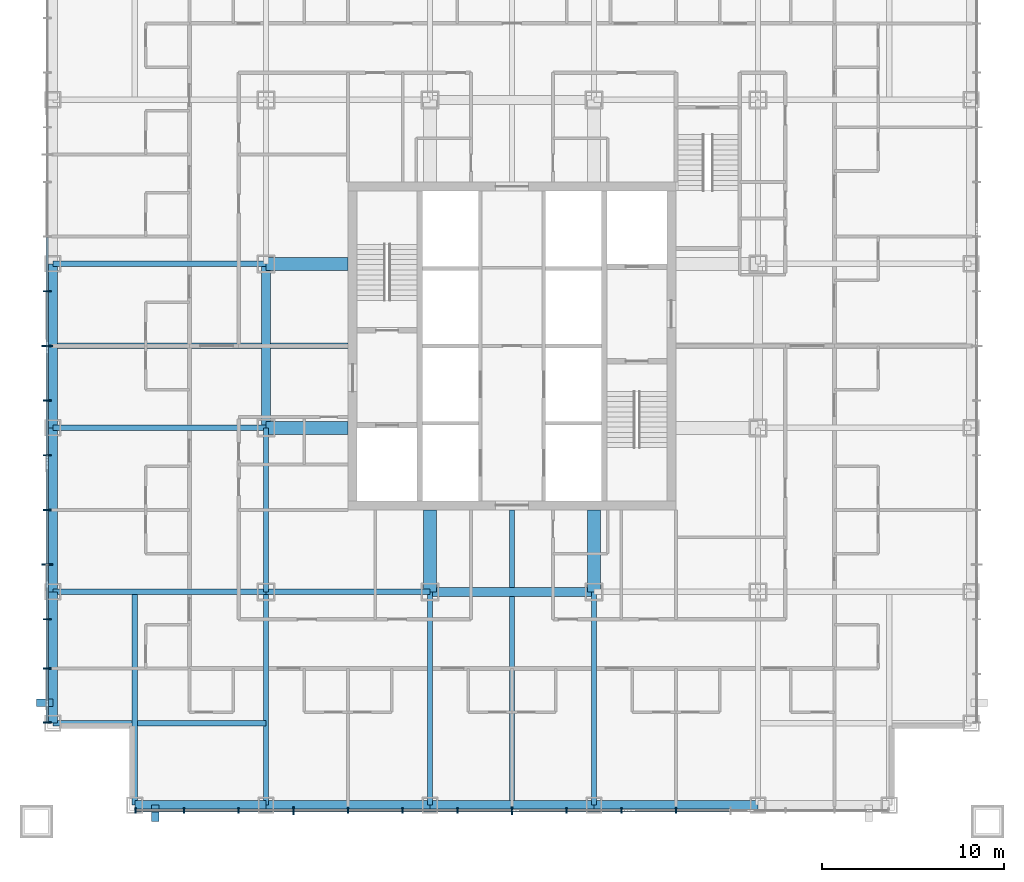
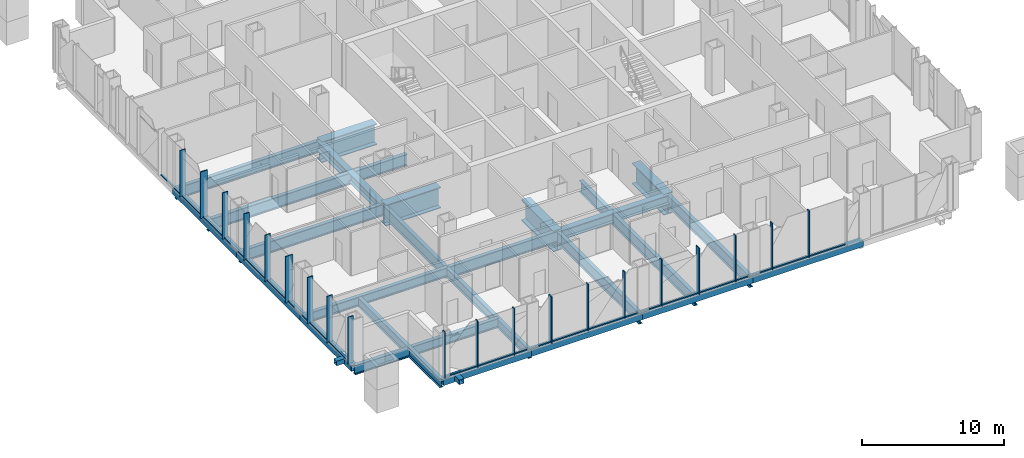
# One storey, part 2 of 23: 42 members, 25 beams, 2 elements without a shape of their own.
"""IFC4 building model written with IfcOpenShell, lengths in metres."""

from ifc_helpers import new_model, si_unit, direction, frame, origin, origin_2d, place, context, subcontext, project, spatial, rectangle, hollow_rectangle, i_section, extrude, material, layer, layer_set, material_profile, profile_set, type_object, element, aggregate, save


model = new_model("IFC4")

# Units and contexts
model_context = context("Model", 3, precision=1e-05, world=origin(), true_north=direction((0.0, 1.0)))
body_context = subcontext(model_context, "Body", "Model", "MODEL_VIEW")
ifc_project = project(units=[si_unit("LENGTHUNIT", "METRE"), si_unit("AREAUNIT", "SQUARE_METRE"), si_unit("VOLUMEUNIT", "CUBIC_METRE"), si_unit("PLANEANGLEUNIT", "RADIAN"), si_unit("MASSUNIT", "GRAM", prefix="KILO")], contexts=[model_context])

# Site, building, storey
site_placement = place(None, origin())
site = spatial("IfcSite", under=ifc_project, at=site_placement, CompositionType="ELEMENT")
building_placement = place(site_placement, origin())
building = spatial("IfcBuilding", under=site, at=building_placement, Name="Malebo Sky Hospital", CompositionType="ELEMENT")
storey_placement = place(building_placement, frame((0.0, 0.0, 91.0)))
storey = spatial("IfcBuildingStorey", under=building, at=storey_placement, Name="L21", CompositionType="ELEMENT", Elevation=91.0)

# Curtain wall, members
ifc_material_1 = material(Name="Anodised aluminium, natural silver", Category="aluminium")
ifc_layer_1 = layer(ifc_material_1, 0.25)
ifc_layer_set_1 = layer_set([ifc_layer_1], Name="WARD CURTAIN WALL EAST AND WEST")
curtain_wall_type_1 = type_object("IfcCurtainWallType", Name="WARD CURTAIN WALL EAST AND WEST", PredefinedType="NOTDEFINED", material=ifc_layer_set_1)
curtain_wall_1_placement = place(storey_placement, origin())
curtain_wall_1 = element("IfcCurtainWall", 1, at=curtain_wall_1_placement, inside=storey, type_object=curtain_wall_type_1, Name="EW curtain wall W", PredefinedType="NOTDEFINED")
ifc_material_profile_1 = material_profile(ifc_material_1, rectangle(XDim=0.14990234375, YDim=0.10009765625, at=origin_2d()), Name="ALUMINIUM TRANSOM 150x100")
ifc_profile_set_1 = profile_set([ifc_material_profile_1], Name="Anodised aluminium, natural silver")
member_type_1 = type_object("IfcMemberType", Name="ALUMINIUM TRANSOM 150x100", PredefinedType="USERDEFINED", material=ifc_profile_set_1)
member_1_placement = place(storey_placement, frame((34.5, 41.375, 0.050048828125), z_axis=(0.0, 1.0, 0.0), x_axis=(-1.0, 0.0, 0.0)))
member_1 = element("IfcMember", 2, at=member_1_placement, type_object=member_type_1, Name="Transom 1", ObjectType="TRANSOM", PredefinedType="USERDEFINED", context=body_context, shape_type="SweptSolid", body=[
    extrude(rectangle(XDim=0.14990234375, YDim=0.10009765625, at=origin_2d()), origin(), (0.0, 0.0, 1.0), 2.887451171875),
])
member_2_placement = place(storey_placement, frame((34.5, 44.33740234375, 0.050048828125), z_axis=(0.0, 1.0, 0.0), x_axis=(-1.0, 0.0, 0.0)))
member_2 = element("IfcMember", 3, at=member_2_placement, type_object=member_type_1, Name="Transom 2", ObjectType="TRANSOM", PredefinedType="USERDEFINED", context=body_context, shape_type="SweptSolid", body=[
    extrude(rectangle(XDim=0.14990234375, YDim=0.10009765625, at=origin_2d()), origin(), (0.0, 0.0, 1.0), 2.625),
])
member_3_placement = place(storey_placement, frame((34.5, 47.03759765625, 0.050048828125), z_axis=(0.0, 1.0, 0.0), x_axis=(-1.0, 0.0, 0.0)))
member_3 = element("IfcMember", 4, at=member_3_placement, type_object=member_type_1, Name="Transom 3", ObjectType="TRANSOM", PredefinedType="USERDEFINED", context=body_context, shape_type="SweptSolid", body=[
    extrude(rectangle(XDim=0.14990234375, YDim=0.10009765625, at=origin_2d()), origin(), (0.0, 0.0, 1.0), 2.9248046875),
])
member_4_placement = place(storey_placement, frame((34.5, 50.03759765625, 0.050048828125), z_axis=(0.0, 1.0, 0.0), x_axis=(-1.0, 0.0, 0.0)))
member_4 = element("IfcMember", 5, at=member_4_placement, type_object=member_type_1, Name="Transom 4", ObjectType="TRANSOM", PredefinedType="USERDEFINED", context=body_context, shape_type="SweptSolid", body=[
    extrude(rectangle(XDim=0.14990234375, YDim=0.10009765625, at=origin_2d()), origin(), (0.0, 0.0, 1.0), 2.9248046875),
])
member_5_placement = place(storey_placement, frame((34.5, 53.03759765625, 0.050048828125), z_axis=(0.0, 1.0, 0.0), x_axis=(-1.0, 0.0, 0.0)))
member_5 = element("IfcMember", 6, at=member_5_placement, type_object=member_type_1, Name="Transom 5", ObjectType="TRANSOM", PredefinedType="USERDEFINED", context=body_context, shape_type="SweptSolid", body=[
    extrude(rectangle(XDim=0.14990234375, YDim=0.10009765625, at=origin_2d()), origin(), (0.0, 0.0, 1.0), 2.9248046875),
])
member_6_placement = place(storey_placement, frame((34.5, 56.03759765625, 0.050048828125), z_axis=(0.0, 1.0, 0.0), x_axis=(-1.0, 0.0, 0.0)))
member_6 = element("IfcMember", 7, at=member_6_placement, type_object=member_type_1, Name="Transom 6", ObjectType="TRANSOM", PredefinedType="USERDEFINED", context=body_context, shape_type="SweptSolid", body=[
    extrude(rectangle(XDim=0.14990234375, YDim=0.10009765625, at=origin_2d()), origin(), (0.0, 0.0, 1.0), 2.9248046875),
])
member_7_placement = place(storey_placement, frame((34.5, 59.03759765625, 0.050048828125), z_axis=(0.0, 1.0, 0.0), x_axis=(-1.0, 0.0, 0.0)))
member_7 = element("IfcMember", 8, at=member_7_placement, type_object=member_type_1, Name="Transom 7", ObjectType="TRANSOM", PredefinedType="USERDEFINED", context=body_context, shape_type="SweptSolid", body=[
    extrude(rectangle(XDim=0.14990234375, YDim=0.10009765625, at=origin_2d()), origin(), (0.0, 0.0, 1.0), 2.9248046875),
])
member_8_placement = place(storey_placement, frame((34.5, 62.03759765625, 0.050048828125), z_axis=(0.0, 1.0, 0.0), x_axis=(-1.0, 0.0, 0.0)))
member_8 = element("IfcMember", 9, at=member_8_placement, type_object=member_type_1, Name="Transom 8", ObjectType="TRANSOM", PredefinedType="USERDEFINED", context=body_context, shape_type="SweptSolid", body=[
    extrude(rectangle(XDim=0.14990234375, YDim=0.10009765625, at=origin_2d()), origin(), (0.0, 0.0, 1.0), 2.9248046875),
])
member_9_placement = place(storey_placement, frame((34.5, 65.03759765625, 0.050048828125), z_axis=(0.0, 1.0, 0.0), x_axis=(-1.0, 0.0, 0.0)))
member_9 = element("IfcMember", 10, at=member_9_placement, type_object=member_type_1, Name="Transom 9", ObjectType="TRANSOM", PredefinedType="USERDEFINED", context=body_context, shape_type="SweptSolid", body=[
    extrude(rectangle(XDim=0.14990234375, YDim=0.10009765625, at=origin_2d()), origin(), (0.0, 0.0, 1.0), 2.9248046875),
])

ifc_layer_2 = layer(ifc_material_1, 0.25)
ifc_layer_set_2 = layer_set([ifc_layer_2], Name="WARD CURTAIN WALL NORTH AND SOUTH")
curtain_wall_type_2 = type_object("IfcCurtainWallType", Name="WARD CURTAIN WALL NORTH AND SOUTH", PredefinedType="NOTDEFINED", material=ifc_layer_set_2)
curtain_wall_2_placement = place(storey_placement, origin())
curtain_wall_2 = element("IfcCurtainWall", 11, at=curtain_wall_2_placement, inside=storey, type_object=curtain_wall_type_2, Name="NS curtain wall S", PredefinedType="NOTDEFINED")
member_10_placement = place(storey_placement, frame((71.96240234375, 36.5, 0.050048828125), z_axis=(-1.0, 0.0, 0.0), x_axis=(0.0, -1.0, 0.0)))
member_10 = element("IfcMember", 12, at=member_10_placement, type_object=member_type_1, Name="Transom 4", ObjectType="TRANSOM", PredefinedType="USERDEFINED", context=body_context, shape_type="SweptSolid", body=[
    extrude(rectangle(XDim=0.14990234375, YDim=0.10009765625, at=origin_2d()), origin(), (0.0, 0.0, 1.0), 2.9248046875),
])
member_11_placement = place(storey_placement, frame((68.96240234375, 36.5, 0.050048828125), z_axis=(-1.0, 0.0, 0.0), x_axis=(0.0, -1.0, 0.0)))
member_11 = element("IfcMember", 13, at=member_11_placement, type_object=member_type_1, Name="Transom 5", ObjectType="TRANSOM", PredefinedType="USERDEFINED", context=body_context, shape_type="SweptSolid", body=[
    extrude(rectangle(XDim=0.14990234375, YDim=0.10009765625, at=origin_2d()), origin(), (0.0, 0.0, 1.0), 2.9248046875),
])
member_12_placement = place(storey_placement, frame((65.96240234375, 36.5, 0.050048828125), z_axis=(-1.0, 0.0, 0.0), x_axis=(0.0, -1.0, 0.0)))
member_12 = element("IfcMember", 14, at=member_12_placement, type_object=member_type_1, Name="Transom 6", ObjectType="TRANSOM", PredefinedType="USERDEFINED", context=body_context, shape_type="SweptSolid", body=[
    extrude(rectangle(XDim=0.14990234375, YDim=0.10009765625, at=origin_2d()), origin(), (0.0, 0.0, 1.0), 2.9248046875),
])
member_13_placement = place(storey_placement, frame((62.96240234375, 36.5, 0.050048828125), z_axis=(-1.0, 0.0, 0.0), x_axis=(0.0, -1.0, 0.0)))
member_13 = element("IfcMember", 15, at=member_13_placement, type_object=member_type_1, Name="Transom 7", ObjectType="TRANSOM", PredefinedType="USERDEFINED", context=body_context, shape_type="SweptSolid", body=[
    extrude(rectangle(XDim=0.14990234375, YDim=0.10009765625, at=origin_2d()), origin(), (0.0, 0.0, 1.0), 2.9248046875),
])
member_14_placement = place(storey_placement, frame((59.96240234375, 36.5, 0.050048828125), z_axis=(-1.0, 0.0, 0.0), x_axis=(0.0, -1.0, 0.0)))
member_14 = element("IfcMember", 16, at=member_14_placement, type_object=member_type_1, Name="Transom 8", ObjectType="TRANSOM", PredefinedType="USERDEFINED", context=body_context, shape_type="SweptSolid", body=[
    extrude(rectangle(XDim=0.14990234375, YDim=0.10009765625, at=origin_2d()), origin(), (0.0, 0.0, 1.0), 2.9248046875),
])
member_15_placement = place(storey_placement, frame((56.96240234375, 36.5, 0.050048828125), z_axis=(-1.0, 0.0, 0.0), x_axis=(0.0, -1.0, 0.0)))
member_15 = element("IfcMember", 17, at=member_15_placement, type_object=member_type_1, Name="Transom 9", ObjectType="TRANSOM", PredefinedType="USERDEFINED", context=body_context, shape_type="SweptSolid", body=[
    extrude(rectangle(XDim=0.14990234375, YDim=0.10009765625, at=origin_2d()), origin(), (0.0, 0.0, 1.0), 2.9248046875),
])
member_16_placement = place(storey_placement, frame((53.96240234375, 36.5, 0.050048828125), z_axis=(-1.0, 0.0, 0.0), x_axis=(0.0, -1.0, 0.0)))
member_16 = element("IfcMember", 18, at=member_16_placement, type_object=member_type_1, Name="Transom 10", ObjectType="TRANSOM", PredefinedType="USERDEFINED", context=body_context, shape_type="SweptSolid", body=[
    extrude(rectangle(XDim=0.14990234375, YDim=0.10009765625, at=origin_2d()), origin(), (0.0, 0.0, 1.0), 2.9248046875),
])
member_17_placement = place(storey_placement, frame((50.96240234375, 36.5, 0.050048828125), z_axis=(-1.0, 0.0, 0.0), x_axis=(0.0, -1.0, 0.0)))
member_17 = element("IfcMember", 19, at=member_17_placement, type_object=member_type_1, Name="Transom 11", ObjectType="TRANSOM", PredefinedType="USERDEFINED", context=body_context, shape_type="SweptSolid", body=[
    extrude(rectangle(XDim=0.14990234375, YDim=0.10009765625, at=origin_2d()), origin(), (0.0, 0.0, 1.0), 2.9248046875),
])
member_18_placement = place(storey_placement, frame((47.96240234375, 36.5, 0.050048828125), z_axis=(-1.0, 0.0, 0.0), x_axis=(0.0, -1.0, 0.0)))
member_18 = element("IfcMember", 20, at=member_18_placement, type_object=member_type_1, Name="Transom 12", ObjectType="TRANSOM", PredefinedType="USERDEFINED", context=body_context, shape_type="SweptSolid", body=[
    extrude(rectangle(XDim=0.14990234375, YDim=0.10009765625, at=origin_2d()), origin(), (0.0, 0.0, 1.0), 2.9248046875),
])
member_19_placement = place(storey_placement, frame((44.96240234375, 36.5, 0.050048828125), z_axis=(-1.0, 0.0, 0.0), x_axis=(0.0, -1.0, 0.0)))
member_19 = element("IfcMember", 21, at=member_19_placement, type_object=member_type_1, Name="Transom 13", ObjectType="TRANSOM", PredefinedType="USERDEFINED", context=body_context, shape_type="SweptSolid", body=[
    extrude(rectangle(XDim=0.14990234375, YDim=0.10009765625, at=origin_2d()), origin(), (0.0, 0.0, 1.0), 2.9248046875),
])
member_20_placement = place(storey_placement, frame((41.96240234375, 36.5, 0.050048828125), z_axis=(-1.0, 0.0, 0.0), x_axis=(0.0, -1.0, 0.0)))
member_20 = element("IfcMember", 22, at=member_20_placement, type_object=member_type_1, Name="Transom 14", ObjectType="TRANSOM", PredefinedType="USERDEFINED", context=body_context, shape_type="SweptSolid", body=[
    extrude(rectangle(XDim=0.14990234375, YDim=0.10009765625, at=origin_2d()), origin(), (0.0, 0.0, 1.0), 2.58740234375),
])

# Members
ifc_material_2 = material(Name="Steel S355", Category="steel")
ifc_material_profile_2 = material_profile(ifc_material_2, hollow_rectangle(XDim=0.39990234375, YDim=0.39990234375, WallThickness=0.02001953125, at=origin_2d()), Name="SHS 400x20")
ifc_profile_set_2 = profile_set([ifc_material_profile_2], Name="Steel S355")
member_type_2 = type_object("IfcMemberType", Name="BRACE STRUT SHS 400x20", PredefinedType="STRUT", material=ifc_profile_set_2)
for number, where, z_axis, x_axis, name in (
    (23, (40.425048828125, 35.89990234375, -0.39990234375), (0.0, 1.0, 0.0), (-1.0, 0.0, 0.0), "Brace strut AS2 L21"),
    (24, (33.89990234375, 42.425048828125, -0.39990234375), (1.0, 0.0, 0.0), (0.0, 1.0, 0.0), "Brace strut AW1 L21"),
):
    element("IfcMember", number, at=place(storey_placement, frame(where, z_axis=z_axis, x_axis=x_axis)), inside=storey, type_object=member_type_2, Name=name, PredefinedType="STRUT", context=body_context, shape_type="SweptSolid", body=[
        extrude(hollow_rectangle(XDim=0.39990234375, YDim=0.39990234375, WallThickness=0.02001953125, at=origin_2d()), origin(), (0.0, 0.0, 1.0), 0.900146484375),
    ])

# Member
ifc_material_profile_3 = material_profile(ifc_material_1, rectangle(XDim=0.074951171875, YDim=0.300048828125, at=origin_2d()), Name="CW1 ALUMINIUM FIN MULLION 75x300")
ifc_profile_set_3 = profile_set([ifc_material_profile_3], Name="Anodised aluminium, natural silver")
member_type_3 = type_object("IfcMemberType", Name="CW1 ALUMINIUM FIN MULLION 75x300", PredefinedType="MULLION", material=ifc_profile_set_3)
member_21_placement = place(storey_placement, frame((69.0, 36.5, 0.0), z_axis=(0.0, 0.0, 1.0), x_axis=(-1.0, 0.0, 0.0)))
member_21 = element("IfcMember", 25, at=member_21_placement, type_object=member_type_3, Name="Fin mullion 5", PredefinedType="MULLION", context=body_context, shape_type="SweptSolid", body=[
    extrude(rectangle(XDim=0.074951171875, YDim=0.300048828125, at=origin_2d()), origin(), (0.0, 0.0, 1.0), 4.0),
])

member_22_placement = place(storey_placement, frame((66.0, 36.5, 0.0), z_axis=(0.0, 0.0, 1.0), x_axis=(-1.0, 0.0, 0.0)))
member_22 = element("IfcMember", 26, at=member_22_placement, type_object=member_type_3, Name="Fin mullion 6", PredefinedType="MULLION", context=body_context, shape_type="SweptSolid", body=[
    extrude(rectangle(XDim=0.074951171875, YDim=0.300048828125, at=origin_2d()), origin(), (0.0, 0.0, 1.0), 4.0),
])

member_23_placement = place(storey_placement, frame((63.0, 36.5, 0.0), z_axis=(0.0, 0.0, 1.0), x_axis=(-1.0, 0.0, 0.0)))
member_23 = element("IfcMember", 27, at=member_23_placement, type_object=member_type_3, Name="Fin mullion 7", PredefinedType="MULLION", context=body_context, shape_type="SweptSolid", body=[
    extrude(rectangle(XDim=0.074951171875, YDim=0.300048828125, at=origin_2d()), origin(), (0.0, 0.0, 1.0), 4.0),
])

member_24_placement = place(storey_placement, frame((57.0, 36.5, 0.0), z_axis=(0.0, 0.0, 1.0), x_axis=(-1.0, 0.0, 0.0)))
member_24 = element("IfcMember", 28, at=member_24_placement, type_object=member_type_3, Name="Fin mullion 9", PredefinedType="MULLION", context=body_context, shape_type="SweptSolid", body=[
    extrude(rectangle(XDim=0.074951171875, YDim=0.300048828125, at=origin_2d()), origin(), (0.0, 0.0, 1.0), 4.0),
])

member_25_placement = place(storey_placement, frame((54.0, 36.5, 0.0), z_axis=(0.0, 0.0, 1.0), x_axis=(-1.0, 0.0, 0.0)))
member_25 = element("IfcMember", 29, at=member_25_placement, type_object=member_type_3, Name="Fin mullion 10", PredefinedType="MULLION", context=body_context, shape_type="SweptSolid", body=[
    extrude(rectangle(XDim=0.074951171875, YDim=0.300048828125, at=origin_2d()), origin(), (0.0, 0.0, 1.0), 4.0),
])

member_26_placement = place(storey_placement, frame((51.0, 36.5, 0.0), z_axis=(0.0, 0.0, 1.0), x_axis=(-1.0, 0.0, 0.0)))
member_26 = element("IfcMember", 30, at=member_26_placement, type_object=member_type_3, Name="Fin mullion 11", PredefinedType="MULLION", context=body_context, shape_type="SweptSolid", body=[
    extrude(rectangle(XDim=0.074951171875, YDim=0.300048828125, at=origin_2d()), origin(), (0.0, 0.0, 1.0), 4.0),
])

member_27_placement = place(storey_placement, frame((45.0, 36.5, 0.0), z_axis=(0.0, 0.0, 1.0), x_axis=(-1.0, 0.0, 0.0)))
member_27 = element("IfcMember", 31, at=member_27_placement, type_object=member_type_3, Name="Fin mullion 13", PredefinedType="MULLION", context=body_context, shape_type="SweptSolid", body=[
    extrude(rectangle(XDim=0.074951171875, YDim=0.300048828125, at=origin_2d()), origin(), (0.0, 0.0, 1.0), 4.0),
])

member_28_placement = place(storey_placement, frame((42.0, 36.5, 0.0), z_axis=(0.0, 0.0, 1.0), x_axis=(-1.0, 0.0, 0.0)))
member_28 = element("IfcMember", 32, at=member_28_placement, type_object=member_type_3, Name="Fin mullion 14", PredefinedType="MULLION", context=body_context, shape_type="SweptSolid", body=[
    extrude(rectangle(XDim=0.074951171875, YDim=0.300048828125, at=origin_2d()), origin(), (0.0, 0.0, 1.0), 4.0),
])

member_29_placement = place(storey_placement, frame((39.33740234375, 36.5, 0.0), z_axis=(0.0, 0.0, 1.0), x_axis=(-1.0, 0.0, 0.0)))
member_29 = element("IfcMember", 33, at=member_29_placement, type_object=member_type_3, Name="Fin mullion 15", PredefinedType="MULLION", context=body_context, shape_type="SweptSolid", body=[
    extrude(rectangle(XDim=0.074951171875, YDim=0.300048828125, at=origin_2d()), origin(), (0.0, 0.0, 1.0), 4.0),
])

ifc_material_profile_4 = material_profile(ifc_material_1, rectangle(XDim=0.074951171875, YDim=0.449951171875, at=origin_2d()), Name="CW1 ALUMINIUM FIN MULLION 75x450")
ifc_profile_set_4 = profile_set([ifc_material_profile_4], Name="Anodised aluminium, natural silver")
member_type_4 = type_object("IfcMemberType", Name="CW1 ALUMINIUM FIN MULLION 75x450", PredefinedType="MULLION", material=ifc_profile_set_4)
member_30_placement = place(storey_placement, frame((60.0, 36.5, 0.0), z_axis=(0.0, 0.0, 1.0), x_axis=(-1.0, 0.0, 0.0)))
member_30 = element("IfcMember", 34, at=member_30_placement, type_object=member_type_4, Name="Fin mullion 8", PredefinedType="MULLION", context=body_context, shape_type="SweptSolid", body=[
    extrude(rectangle(XDim=0.074951171875, YDim=0.449951171875, at=origin_2d()), origin(), (0.0, 0.0, 1.0), 4.0),
])

member_31_placement = place(storey_placement, frame((48.0, 36.5, 0.0), z_axis=(0.0, 0.0, 1.0), x_axis=(-1.0, 0.0, 0.0)))
member_31 = element("IfcMember", 35, at=member_31_placement, type_object=member_type_4, Name="Fin mullion 12", PredefinedType="MULLION", context=body_context, shape_type="SweptSolid", body=[
    extrude(rectangle(XDim=0.074951171875, YDim=0.449951171875, at=origin_2d()), origin(), (0.0, 0.0, 1.0), 4.0),
])

aggregate(curtain_wall_2, [member_21, member_22, member_23, member_30, member_24, member_25, member_26, member_31, member_27, member_28, member_29, member_10, member_11, member_12, member_13, member_14, member_15, member_16, member_17, member_18, member_19, member_20])

ifc_material_profile_5 = material_profile(ifc_material_1, rectangle(XDim=0.074951171875, YDim=0.449951171875, at=origin_2d()), Name="CW2 ALUMINIUM FIN MULLION 75x450")
ifc_profile_set_5 = profile_set([ifc_material_profile_5], Name="Anodised aluminium, natural silver")
member_type_5 = type_object("IfcMemberType", Name="CW2 ALUMINIUM FIN MULLION 75x450", PredefinedType="MULLION", material=ifc_profile_set_5)
member_32_placement = place(storey_placement, frame((34.5, 41.33740234375, 0.0), z_axis=(0.0, 0.0, 1.0), x_axis=(0.0, 1.0, 0.0)))
member_32 = element("IfcMember", 36, at=member_32_placement, type_object=member_type_5, Name="Fin mullion 1", PredefinedType="MULLION", context=body_context, shape_type="SweptSolid", body=[
    extrude(rectangle(XDim=0.074951171875, YDim=0.449951171875, at=origin_2d()), origin(), (0.0, 0.0, 1.0), 4.0),
])

member_33_placement = place(storey_placement, frame((34.5, 44.300048828125, 0.0), z_axis=(0.0, 0.0, 1.0), x_axis=(0.0, 1.0, 0.0)))
member_33 = element("IfcMember", 37, at=member_33_placement, type_object=member_type_5, Name="Fin mullion 2", PredefinedType="MULLION", context=body_context, shape_type="SweptSolid", body=[
    extrude(rectangle(XDim=0.074951171875, YDim=0.449951171875, at=origin_2d()), origin(), (0.0, 0.0, 1.0), 4.0),
])

member_34_placement = place(storey_placement, frame((34.5, 47.0, 0.0), z_axis=(0.0, 0.0, 1.0), x_axis=(0.0, 1.0, 0.0)))
member_34 = element("IfcMember", 38, at=member_34_placement, type_object=member_type_5, Name="Fin mullion 3", PredefinedType="MULLION", context=body_context, shape_type="SweptSolid", body=[
    extrude(rectangle(XDim=0.074951171875, YDim=0.449951171875, at=origin_2d()), origin(), (0.0, 0.0, 1.0), 4.0),
])

member_35_placement = place(storey_placement, frame((34.5, 53.0, 0.0), z_axis=(0.0, 0.0, 1.0), x_axis=(0.0, 1.0, 0.0)))
member_35 = element("IfcMember", 39, at=member_35_placement, type_object=member_type_5, Name="Fin mullion 5", PredefinedType="MULLION", context=body_context, shape_type="SweptSolid", body=[
    extrude(rectangle(XDim=0.074951171875, YDim=0.449951171875, at=origin_2d()), origin(), (0.0, 0.0, 1.0), 4.0),
])

member_36_placement = place(storey_placement, frame((34.5, 56.0, 0.0), z_axis=(0.0, 0.0, 1.0), x_axis=(0.0, 1.0, 0.0)))
member_36 = element("IfcMember", 40, at=member_36_placement, type_object=member_type_5, Name="Fin mullion 6", PredefinedType="MULLION", context=body_context, shape_type="SweptSolid", body=[
    extrude(rectangle(XDim=0.074951171875, YDim=0.449951171875, at=origin_2d()), origin(), (0.0, 0.0, 1.0), 4.0),
])

member_37_placement = place(storey_placement, frame((34.5, 59.0, 0.0), z_axis=(0.0, 0.0, 1.0), x_axis=(0.0, 1.0, 0.0)))
member_37 = element("IfcMember", 41, at=member_37_placement, type_object=member_type_5, Name="Fin mullion 7", PredefinedType="MULLION", context=body_context, shape_type="SweptSolid", body=[
    extrude(rectangle(XDim=0.074951171875, YDim=0.449951171875, at=origin_2d()), origin(), (0.0, 0.0, 1.0), 4.0),
])

member_38_placement = place(storey_placement, frame((34.5, 65.0, 0.0), z_axis=(0.0, 0.0, 1.0), x_axis=(0.0, 1.0, 0.0)))
member_38 = element("IfcMember", 42, at=member_38_placement, type_object=member_type_5, Name="Fin mullion 9", PredefinedType="MULLION", context=body_context, shape_type="SweptSolid", body=[
    extrude(rectangle(XDim=0.074951171875, YDim=0.449951171875, at=origin_2d()), origin(), (0.0, 0.0, 1.0), 4.0),
])

ifc_material_profile_6 = material_profile(ifc_material_1, rectangle(XDim=0.074951171875, YDim=0.60009765625, at=origin_2d()), Name="CW2 ALUMINIUM FIN MULLION 75x600")
ifc_profile_set_6 = profile_set([ifc_material_profile_6], Name="Anodised aluminium, natural silver")
member_type_6 = type_object("IfcMemberType", Name="CW2 ALUMINIUM FIN MULLION 75x600", PredefinedType="MULLION", material=ifc_profile_set_6)
member_39_placement = place(storey_placement, frame((34.5, 50.0, 0.0), z_axis=(0.0, 0.0, 1.0), x_axis=(0.0, 1.0, 0.0)))
member_39 = element("IfcMember", 43, at=member_39_placement, type_object=member_type_6, Name="Fin mullion 4", PredefinedType="MULLION", context=body_context, shape_type="SweptSolid", body=[
    extrude(rectangle(XDim=0.074951171875, YDim=0.60009765625, at=origin_2d()), origin(), (0.0, 0.0, 1.0), 4.0),
])

member_40_placement = place(storey_placement, frame((34.5, 62.0, 0.0), z_axis=(0.0, 0.0, 1.0), x_axis=(0.0, 1.0, 0.0)))
member_40 = element("IfcMember", 44, at=member_40_placement, type_object=member_type_6, Name="Fin mullion 8", PredefinedType="MULLION", context=body_context, shape_type="SweptSolid", body=[
    extrude(rectangle(XDim=0.074951171875, YDim=0.60009765625, at=origin_2d()), origin(), (0.0, 0.0, 1.0), 4.0),
])

aggregate(curtain_wall_1, [member_32, member_33, member_34, member_39, member_35, member_36, member_37, member_40, member_38, member_1, member_2, member_3, member_4, member_5, member_6, member_7, member_8, member_9])

# Beams
ifc_material_3 = material(Name="Steel S460", Category="steel")
ifc_material_profile_7 = material_profile(ifc_material_3, hollow_rectangle(XDim=0.5, YDim=0.5, WallThickness=0.030029296875, at=origin_2d()), Name="BOX 500x500x30")
ifc_profile_set_7 = profile_set([ifc_material_profile_7], Name="Steel S460")
beam_type_1 = type_object("IfcBeamType", Name="EDGE BEAM BOX 500x500x30", PredefinedType="BEAM", material=ifc_profile_set_7)
beam_1_placement = place(storey_placement, frame((34.800048828125, 41.300048828125, -0.5), z_axis=(0.0, 1.0, 0.0), x_axis=(-1.0, 0.0, 0.0)))
element("IfcBeam", 45, at=beam_1_placement, inside=storey, type_object=beam_type_1, Name="Beam 000 L21", PredefinedType="BEAM", context=body_context, shape_type="SweptSolid", body=[
    extrude(hollow_rectangle(XDim=0.5, YDim=0.5, WallThickness=0.030029296875, at=origin_2d()), origin(), (0.0, 0.0, 1.0), 7.199951171875),
])
for number, where, z_axis, x_axis, name in (
    (46, (34.800048828125, 48.5, -0.5), (0.0, 1.0, 0.0), (-1.0, 0.0, 0.0), "Beam 001 L21"),
    (47, (34.800048828125, 57.5, -0.5), (0.0, 1.0, 0.0), (-1.0, 0.0, 0.0), "Beam 002 L21"),
):
    element("IfcBeam", number, at=place(storey_placement, frame(where, z_axis=z_axis, x_axis=x_axis)), inside=storey, type_object=beam_type_1, Name=name, PredefinedType="BEAM", context=body_context, shape_type="SweptSolid", body=[
        extrude(hollow_rectangle(XDim=0.5, YDim=0.5, WallThickness=0.030029296875, at=origin_2d()), origin(), (0.0, 0.0, 1.0), 9.0),
    ])
beam_2_placement = place(storey_placement, frame((39.300048828125, 36.800048828125, -0.5), z_axis=(1.0, 0.0, 0.0), x_axis=(0.0, 1.0, 0.0)))
element("IfcBeam", 48, at=beam_2_placement, inside=storey, type_object=beam_type_1, Name="Beam 034 L21", PredefinedType="BEAM", context=body_context, shape_type="SweptSolid", body=[
    extrude(hollow_rectangle(XDim=0.5, YDim=0.5, WallThickness=0.030029296875, at=origin_2d()), origin(), (0.0, 0.0, 1.0), 7.199951171875),
])
for number, where, z_axis, x_axis, name in (
    (49, (46.5, 36.800048828125, -0.5), (1.0, 0.0, 0.0), (0.0, 1.0, 0.0), "Beam 035 L21"),
    (50, (55.5, 36.800048828125, -0.5), (1.0, 0.0, 0.0), (0.0, 1.0, 0.0), "Beam 036 L21"),
    (51, (64.5, 36.800048828125, -0.5), (1.0, 0.0, 0.0), (0.0, 1.0, 0.0), "Beam 037 L21"),
):
    element("IfcBeam", number, at=place(storey_placement, frame(where, z_axis=z_axis, x_axis=x_axis)), inside=storey, type_object=beam_type_1, Name=name, PredefinedType="BEAM", context=body_context, shape_type="SweptSolid", body=[
        extrude(hollow_rectangle(XDim=0.5, YDim=0.5, WallThickness=0.030029296875, at=origin_2d()), origin(), (0.0, 0.0, 1.0), 9.0),
    ])
ifc_material_profile_8 = material_profile(ifc_material_2, i_section(OverallWidth=0.300048828125, OverallDepth=1.0, WebThickness=0.01904296875, FlangeThickness=0.035888671875, FilletRadius=0.030029296875, at=origin_2d()), Name="HEB 1000")
ifc_profile_set_8 = profile_set([ifc_material_profile_8], Name="Steel S355")
beam_type_2 = type_object("IfcBeamType", Name="FLOOR BEAM HEB 1000", PredefinedType="BEAM", material=ifc_profile_set_8)
beam_3_placement = place(storey_placement, frame((46.5, 48.5, -0.75), z_axis=(0.0, 1.0, 0.0), x_axis=(-1.0, 0.0, 0.0)))
element("IfcBeam", 52, at=beam_3_placement, inside=storey, type_object=beam_type_2, Name="Beam 008 L21", PredefinedType="BEAM", context=body_context, shape_type="SweptSolid", body=[
    extrude(i_section(OverallWidth=0.300048828125, OverallDepth=1.0, WebThickness=0.01904296875, FlangeThickness=0.035888671875, FilletRadius=0.030029296875, at=origin_2d()), origin(), (0.0, 0.0, 1.0), 9.0),
])
beam_4_placement = place(storey_placement, frame((55.5, 36.800048828125, -0.75), z_axis=(0.0, 1.0, 0.0), x_axis=(-1.0, 0.0, 0.0)))
element("IfcBeam", 53, at=beam_4_placement, inside=storey, type_object=beam_type_2, Name="Beam 012 L21", PredefinedType="BEAM", context=body_context, shape_type="SweptSolid", body=[
    extrude(i_section(OverallWidth=0.300048828125, OverallDepth=1.0, WebThickness=0.01904296875, FlangeThickness=0.035888671875, FilletRadius=0.030029296875, at=origin_2d()), origin(), (0.0, 0.0, 1.0), 11.699951171875),
])
beam_5_placement = place(storey_placement, frame((60.0, 36.800048828125, -0.75), z_axis=(0.0, 1.0, 0.0), x_axis=(-1.0, 0.0, 0.0)))
element("IfcBeam", 54, at=beam_5_placement, inside=storey, type_object=beam_type_2, Name="Beam 016 L21", PredefinedType="BEAM", context=body_context, shape_type="SweptSolid", body=[
    extrude(i_section(OverallWidth=0.300048828125, OverallDepth=1.0, WebThickness=0.01904296875, FlangeThickness=0.035888671875, FilletRadius=0.030029296875, at=origin_2d()), origin(), (0.0, 0.0, 1.0), 16.199951171875),
])
beam_6_placement = place(storey_placement, frame((64.5, 36.800048828125, -0.75), z_axis=(0.0, 1.0, 0.0), x_axis=(-1.0, 0.0, 0.0)))
element("IfcBeam", 55, at=beam_6_placement, inside=storey, type_object=beam_type_2, Name="Beam 018 L21", PredefinedType="BEAM", context=body_context, shape_type="SweptSolid", body=[
    extrude(i_section(OverallWidth=0.300048828125, OverallDepth=1.0, WebThickness=0.01904296875, FlangeThickness=0.035888671875, FilletRadius=0.030029296875, at=origin_2d()), origin(), (0.0, 0.0, 1.0), 11.699951171875),
])
beam_7_placement = place(storey_placement, frame((46.5, 48.5, -0.75), z_axis=(1.0, 0.0, 0.0), x_axis=(0.0, 1.0, 0.0)))
element("IfcBeam", 56, at=beam_7_placement, inside=storey, type_object=beam_type_2, Name="Beam 042 L21", PredefinedType="BEAM", context=body_context, shape_type="SweptSolid", body=[
    extrude(i_section(OverallWidth=0.300048828125, OverallDepth=1.0, WebThickness=0.01904296875, FlangeThickness=0.035888671875, FilletRadius=0.030029296875, at=origin_2d()), origin(), (0.0, 0.0, 1.0), 9.0),
])
beam_8_placement = place(storey_placement, frame((34.800048828125, 57.5, -0.75), z_axis=(1.0, 0.0, 0.0), x_axis=(0.0, 1.0, 0.0)))
element("IfcBeam", 57, at=beam_8_placement, inside=storey, type_object=beam_type_2, Name="Beam 046 L21", PredefinedType="BEAM", context=body_context, shape_type="SweptSolid", body=[
    extrude(i_section(OverallWidth=0.300048828125, OverallDepth=1.0, WebThickness=0.01904296875, FlangeThickness=0.035888671875, FilletRadius=0.030029296875, at=origin_2d()), origin(), (0.0, 0.0, 1.0), 11.699951171875),
])
beam_9_placement = place(storey_placement, frame((34.800048828125, 62.0, -0.75), z_axis=(1.0, 0.0, 0.0), x_axis=(0.0, 1.0, 0.0)))
element("IfcBeam", 58, at=beam_9_placement, inside=storey, type_object=beam_type_2, Name="Beam 050 L21", PredefinedType="BEAM", context=body_context, shape_type="SweptSolid", body=[
    extrude(i_section(OverallWidth=0.300048828125, OverallDepth=1.0, WebThickness=0.01904296875, FlangeThickness=0.035888671875, FilletRadius=0.030029296875, at=origin_2d()), origin(), (0.0, 0.0, 1.0), 16.199951171875),
])
beam_10_placement = place(storey_placement, frame((34.800048828125, 66.5, -0.75), z_axis=(1.0, 0.0, 0.0), x_axis=(0.0, 1.0, 0.0)))
element("IfcBeam", 59, at=beam_10_placement, inside=storey, type_object=beam_type_2, Name="Beam 052 L21", PredefinedType="BEAM", context=body_context, shape_type="SweptSolid", body=[
    extrude(i_section(OverallWidth=0.300048828125, OverallDepth=1.0, WebThickness=0.01904296875, FlangeThickness=0.035888671875, FilletRadius=0.030029296875, at=origin_2d()), origin(), (0.0, 0.0, 1.0), 11.699951171875),
])
ifc_material_profile_9 = material_profile(ifc_material_2, i_section(OverallWidth=0.300048828125, OverallDepth=0.800048828125, WebThickness=0.017578125, FlangeThickness=0.032958984375, FilletRadius=0.030029296875, at=origin_2d()), Name="HEB 800")
ifc_profile_set_9 = profile_set([ifc_material_profile_9], Name="Steel S355")
beam_type_3 = type_object("IfcBeamType", Name="FLOOR BEAM HEB 800", PredefinedType="BEAM", material=ifc_profile_set_9)
for number, where, z_axis, x_axis, name in (
    (60, (39.300048828125, 36.800048828125, -0.64990234375), (0.0, 1.0, 0.0), (-1.0, 0.0, 0.0), "Beam 005 L21"),
    (61, (34.800048828125, 41.300048828125, -0.64990234375), (1.0, 0.0, 0.0), (0.0, 1.0, 0.0), "Beam 039 L21"),
):
    element("IfcBeam", number, at=place(storey_placement, frame(where, z_axis=z_axis, x_axis=x_axis)), inside=storey, type_object=beam_type_3, Name=name, PredefinedType="BEAM", context=body_context, shape_type="SweptSolid", body=[
        extrude(i_section(OverallWidth=0.300048828125, OverallDepth=0.800048828125, WebThickness=0.017578125, FlangeThickness=0.032958984375, FilletRadius=0.030029296875, at=origin_2d()), origin(), (0.0, 0.0, 1.0), 11.699951171875),
    ])
ifc_material_profile_10 = material_profile(ifc_material_2, i_section(OverallWidth=0.699951171875, OverallDepth=1.800048828125, WebThickness=0.034912109375, FlangeThickness=0.070068359375, at=origin_2d()), Name="PG 1800x700x35x70")
ifc_profile_set_10 = profile_set([ifc_material_profile_10], Name="Steel S355")
beam_type_4 = type_object("IfcBeamType", Name="FLOOR BEAM PG 1800x700x35x70", PredefinedType="BEAM", material=ifc_profile_set_10)
for number, where, z_axis, x_axis, name in (
    (62, (55.5, 48.5, -1.14990234375), (0.0, 1.0, 0.0), (-1.0, 0.0, 0.0), "Beam 013 L21"),
    (63, (64.5, 48.5, -1.14990234375), (0.0, 1.0, 0.0), (-1.0, 0.0, 0.0), "Beam 019 L21"),
    (64, (46.5, 57.5, -1.14990234375), (1.0, 0.0, 0.0), (0.0, 1.0, 0.0), "Beam 047 L21"),
    (65, (46.5, 66.5, -1.14990234375), (1.0, 0.0, 0.0), (0.0, 1.0, 0.0), "Beam 053 L21"),
):
    element("IfcBeam", number, at=place(storey_placement, frame(where, z_axis=z_axis, x_axis=x_axis)), inside=storey, type_object=beam_type_4, Name=name, PredefinedType="BEAM", context=body_context, shape_type="SweptSolid", body=[
        extrude(i_section(OverallWidth=0.699951171875, OverallDepth=1.800048828125, WebThickness=0.034912109375, FlangeThickness=0.070068359375, at=origin_2d()), origin(), (0.0, 0.0, 1.0), 4.5),
    ])
ifc_material_profile_11 = material_profile(ifc_material_2, i_section(OverallWidth=0.300048828125, OverallDepth=0.800048828125, WebThickness=0.017578125, FlangeThickness=0.032958984375, FilletRadius=0.030029296875, at=origin_2d()), Name="HEB 800")
ifc_profile_set_11 = profile_set([ifc_material_profile_11], Name="Steel S355")
beam_type_5 = type_object("IfcBeamType", Name="FLOOR GIRDER HEB 800", PredefinedType="BEAM", material=ifc_profile_set_11)
for number, where, z_axis, x_axis, name in (
    (66, (46.5, 36.800048828125, -0.64990234375), (0.0, 1.0, 0.0), (-1.0, 0.0, 0.0), "Beam 007 L21"),
    (67, (34.800048828125, 48.5, -0.64990234375), (1.0, 0.0, 0.0), (0.0, 1.0, 0.0), "Beam 041 L21"),
):
    element("IfcBeam", number, at=place(storey_placement, frame(where, z_axis=z_axis, x_axis=x_axis)), inside=storey, type_object=beam_type_5, Name=name, PredefinedType="BEAM", context=body_context, shape_type="SweptSolid", body=[
        extrude(i_section(OverallWidth=0.300048828125, OverallDepth=0.800048828125, WebThickness=0.017578125, FlangeThickness=0.032958984375, FilletRadius=0.030029296875, at=origin_2d()), origin(), (0.0, 0.0, 1.0), 11.699951171875),
    ])
ifc_material_profile_12 = material_profile(ifc_material_2, i_section(OverallWidth=0.5, OverallDepth=0.800048828125, WebThickness=0.030029296875, FlangeThickness=0.050048828125, at=origin_2d()), Name="PG 800x500x30x50")
ifc_profile_set_12 = profile_set([ifc_material_profile_12], Name="Steel S355")
beam_type_6 = type_object("IfcBeamType", Name="RING GIRDER PG 800x500x30x50", PredefinedType="BEAM", material=ifc_profile_set_12)
for number, where, z_axis, x_axis, name in (
    (68, (46.5, 57.5, -0.64990234375), (0.0, 1.0, 0.0), (-1.0, 0.0, 0.0), "Beam 009 L21"),
    (69, (55.5, 48.5, -0.64990234375), (1.0, 0.0, 0.0), (0.0, 1.0, 0.0), "Beam 043 L21"),
):
    element("IfcBeam", number, at=place(storey_placement, frame(where, z_axis=z_axis, x_axis=x_axis)), inside=storey, type_object=beam_type_6, Name=name, PredefinedType="BEAM", context=body_context, shape_type="SweptSolid", body=[
        extrude(i_section(OverallWidth=0.5, OverallDepth=0.800048828125, WebThickness=0.030029296875, FlangeThickness=0.050048828125, at=origin_2d()), origin(), (0.0, 0.0, 1.0), 9.0),
    ])

save(model, "model.ifc")
